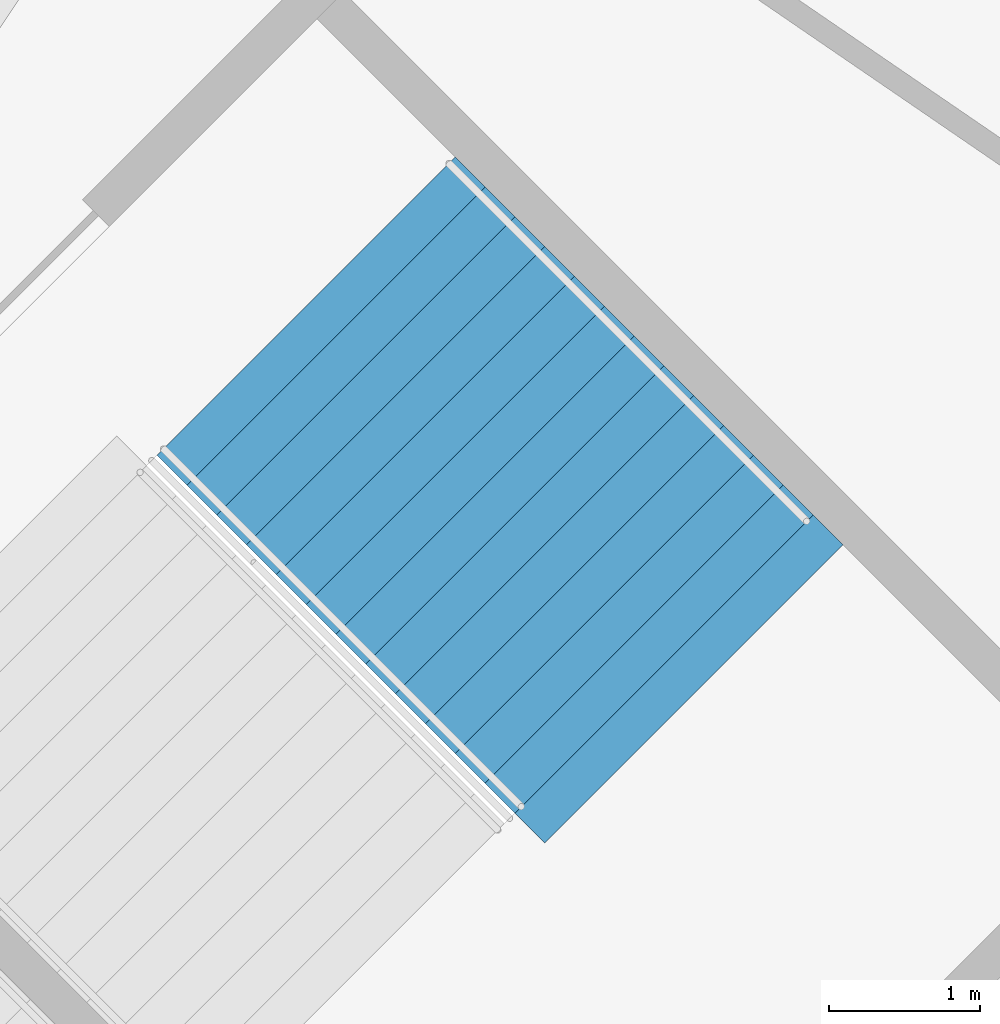
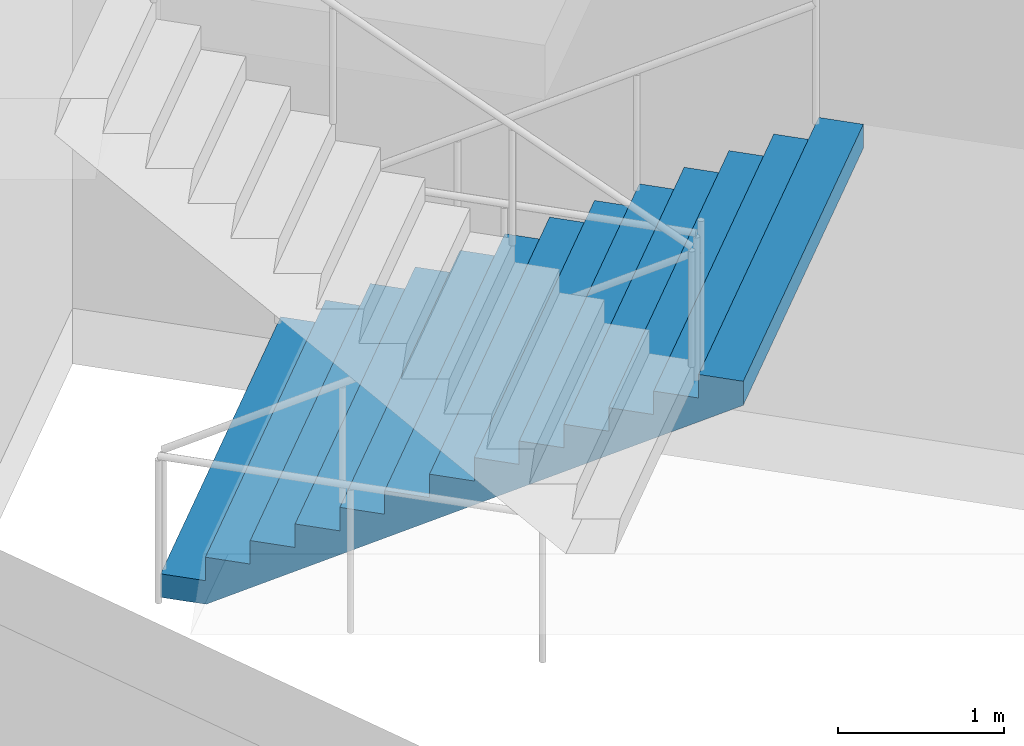
# One storey, part 140 of 199: 1 stair flight, 1 element without a shape of its own.
"""IFC4 building model written with IfcOpenShell, lengths in metres."""

from ifc_helpers import new_model, si_unit, direction, frame, origin, place, context, subcontext, project, spatial, faceted_brep, material, type_object, element, aggregate, save


model = new_model("IFC4")

# Units and contexts
model_context = context("Model", 3, precision=1e-05, world=origin(), true_north=direction((0.0, 1.0)))
body_context = subcontext(model_context, "Body", "Model", "MODEL_VIEW")
ifc_project = project(units=[si_unit("LENGTHUNIT", "METRE"), si_unit("AREAUNIT", "SQUARE_METRE"), si_unit("VOLUMEUNIT", "CUBIC_METRE"), si_unit("PLANEANGLEUNIT", "RADIAN"), si_unit("MASSUNIT", "GRAM", prefix="KILO")], contexts=[model_context])

# Site, building, storey
site_placement = place(None, origin())
site = spatial("IfcSite", under=ifc_project, at=site_placement, CompositionType="ELEMENT")
building_placement = place(site_placement, origin())
building = spatial("IfcBuilding", under=site, at=building_placement, Name="Ogive Plaza Stadium", CompositionType="ELEMENT")
storey_placement = place(building_placement, frame((0.0, 0.0, 4.5)))
storey = spatial("IfcBuildingStorey", under=building, at=storey_placement, Name="L01", CompositionType="ELEMENT", Elevation=4.5)

# Stair, stair flight
ifc_material_1 = material(Name="Concrete C40/50", Category="concrete")
stair_type = type_object("IfcStairType", Name="Exit stair", PredefinedType="STRAIGHT_RUN_STAIR", material=ifc_material_1)
stair_placement = place(storey_placement, origin())
stair = element("IfcStair", 1, at=stair_placement, inside=storey, type_object=stair_type, Name="Exit stair ST10B L01 to L02", PredefinedType="STRAIGHT_RUN_STAIR")
ifc_material_2 = material(Name="Concrete C40/50", Category="concrete")
stair_flight_type = type_object("IfcStairFlightType", Name="Exit stair flight", PredefinedType="STRAIGHT", material=ifc_material_2)
stair_flight_placement = place(storey_placement, frame((67.074951171875, -79.317138671875, 0.0), z_axis=(0.0, 0.0, 1.0), x_axis=(0.707106781187, -0.707106781187, 0.0)))
stair_flight = element("IfcStairFlight", 2, at=stair_flight_placement, type_object=stair_flight_type, Name="ST10B flight 1", NumberOfRisers=13, NumberOfTreads=12, PredefinedType="STRAIGHT", RiserHeight=0.173076923, TreadLength=0.28, context=body_context, shape_type="Brep", body=[
    faceted_brep([(0.28515625, -1.39990234375, 0.0), (3.639892578125, -1.39990234375, 2.07373046875), (3.639892578125, -1.39990234375, 2.25), (3.360107421875, -1.39990234375, 2.25), (3.360107421875, -1.39990234375, 2.076904296875), (3.080078125, -1.39990234375, 2.076904296875), (3.080078125, -1.39990234375, 1.90380859375), (2.800048828125, -1.39990234375, 1.90380859375), (2.800048828125, -1.39990234375, 1.730712890625), (2.52001953125, -1.39990234375, 1.730712890625), (2.52001953125, -1.39990234375, 1.5576171875), (2.239990234375, -1.39990234375, 1.5576171875), (2.239990234375, -1.39990234375, 1.384521484375), (1.9599609375, -1.39990234375, 1.384521484375), (1.9599609375, -1.39990234375, 1.21142578125), (1.679931640625, -1.39990234375, 1.21142578125), (1.679931640625, -1.39990234375, 1.03857421875), (1.39990234375, -1.39990234375, 1.03857421875), (1.39990234375, -1.39990234375, 0.865478515625), (1.1201171875, -1.39990234375, 0.865478515625), (1.1201171875, -1.39990234375, 0.6923828125), (0.840087890625, -1.39990234375, 0.6923828125), (0.840087890625, -1.39990234375, 0.519287109375), (0.56005859375, -1.39990234375, 0.519287109375), (0.56005859375, -1.39990234375, 0.34619140625), (0.280029296875, -1.39990234375, 0.34619140625), (0.280029296875, -1.39990234375, 0.173095703125), (0.0, -1.39990234375, 0.173095703125), (0.0, -1.39990234375, 0.0), (0.0, 1.39990234375, 0.0), (0.0, 1.39990234375, 0.173095703125), (0.280029296875, 1.39990234375, 0.173095703125), (0.280029296875, 1.39990234375, 0.34619140625), (0.56005859375, 1.39990234375, 0.34619140625), (0.56005859375, 1.39990234375, 0.519287109375), (0.840087890625, 1.39990234375, 0.519287109375), (0.840087890625, 1.39990234375, 0.6923828125), (1.1201171875, 1.39990234375, 0.6923828125), (1.1201171875, 1.39990234375, 0.865478515625), (1.39990234375, 1.39990234375, 0.865478515625), (1.39990234375, 1.39990234375, 1.03857421875), (1.679931640625, 1.39990234375, 1.03857421875), (1.679931640625, 1.39990234375, 1.21142578125), (1.9599609375, 1.39990234375, 1.21142578125), (1.9599609375, 1.39990234375, 1.384521484375), (2.239990234375, 1.39990234375, 1.384521484375), (2.239990234375, 1.39990234375, 1.5576171875), (2.52001953125, 1.39990234375, 1.5576171875), (2.52001953125, 1.39990234375, 1.730712890625), (2.800048828125, 1.39990234375, 1.730712890625), (2.800048828125, 1.39990234375, 1.90380859375), (3.080078125, 1.39990234375, 1.90380859375), (3.080078125, 1.39990234375, 2.076904296875), (3.360107421875, 1.39990234375, 2.076904296875), (3.360107421875, 1.39990234375, 2.25), (3.639892578125, 1.39990234375, 2.25), (3.639892578125, 1.39990234375, 2.07373046875), (0.28515625, 1.39990234375, 0.0), (0.28515625, -1.0888671875, 0.0), (3.639892578125, -1.0888671875, 2.07373046875), (0.28515625, -0.77783203125, 0.0), (3.639892578125, -0.77783203125, 2.07373046875), (0.28515625, -0.466796875, 0.0), (3.639892578125, -0.466796875, 2.07373046875), (0.28515625, -0.155517578125, 0.0), (3.639892578125, -0.155517578125, 2.07373046875), (0.28515625, 0.155517578125, 0.0), (3.639892578125, 0.155517578125, 2.07373046875), (0.28515625, 0.466796875, 0.0), (3.639892578125, 0.466796875, 2.07373046875), (0.28515625, 0.77783203125, 0.0), (3.639892578125, 0.77783203125, 2.07373046875), (0.28515625, 1.0888671875, 0.0), (3.639892578125, 1.0888671875, 2.07373046875), (3.639892578125, -1.0888671875, 2.25), (3.639892578125, -0.77783203125, 2.25), (3.639892578125, -0.466796875, 2.25), (3.639892578125, -0.155517578125, 2.25), (3.639892578125, 0.155517578125, 2.25), (3.639892578125, 0.466796875, 2.25), (3.639892578125, 0.77783203125, 2.25), (3.639892578125, 1.0888671875, 2.25), (3.360107421875, -1.0888671875, 2.25), (3.360107421875, -0.77783203125, 2.25), (3.360107421875, -0.466796875, 2.25), (3.360107421875, -0.155517578125, 2.25), (3.360107421875, 0.155517578125, 2.25), (3.360107421875, 0.466796875, 2.25), (3.360107421875, 0.77783203125, 2.25), (3.360107421875, 1.0888671875, 2.25), (3.360107421875, -1.0888671875, 2.076904296875), (3.360107421875, -0.77783203125, 2.076904296875), (3.360107421875, -0.466796875, 2.076904296875), (3.360107421875, -0.155517578125, 2.076904296875), (3.360107421875, 0.155517578125, 2.076904296875), (3.360107421875, 0.466796875, 2.076904296875), (3.360107421875, 0.77783203125, 2.076904296875), (3.360107421875, 1.0888671875, 2.076904296875), (3.080078125, -1.0888671875, 2.076904296875), (3.080078125, -0.77783203125, 2.076904296875), (3.080078125, -0.466796875, 2.076904296875), (3.080078125, -0.155517578125, 2.076904296875), (3.080078125, 0.155517578125, 2.076904296875), (3.080078125, 0.466796875, 2.076904296875), (3.080078125, 0.77783203125, 2.076904296875), (3.080078125, 1.0888671875, 2.076904296875), (3.080078125, -1.0888671875, 1.90380859375), (3.080078125, -0.77783203125, 1.90380859375), (3.080078125, -0.466796875, 1.90380859375), (3.080078125, -0.155517578125, 1.90380859375), (3.080078125, 0.155517578125, 1.90380859375), (3.080078125, 0.466796875, 1.90380859375), (3.080078125, 0.77783203125, 1.90380859375), (3.080078125, 1.0888671875, 1.90380859375), (2.800048828125, -1.0888671875, 1.90380859375), (2.800048828125, -0.77783203125, 1.90380859375), (2.800048828125, -0.466796875, 1.90380859375), (2.800048828125, -0.155517578125, 1.90380859375), (2.800048828125, 0.155517578125, 1.90380859375), (2.800048828125, 0.466796875, 1.90380859375), (2.800048828125, 0.77783203125, 1.90380859375), (2.800048828125, 1.0888671875, 1.90380859375), (2.800048828125, -1.0888671875, 1.730712890625), (2.800048828125, -0.77783203125, 1.730712890625), (2.800048828125, -0.466796875, 1.730712890625), (2.800048828125, -0.155517578125, 1.730712890625), (2.800048828125, 0.155517578125, 1.730712890625), (2.800048828125, 0.466796875, 1.730712890625), (2.800048828125, 0.77783203125, 1.730712890625), (2.800048828125, 1.0888671875, 1.730712890625), (2.52001953125, -1.0888671875, 1.730712890625), (2.52001953125, -0.77783203125, 1.730712890625), (2.52001953125, -0.466796875, 1.730712890625), (2.52001953125, -0.155517578125, 1.730712890625), (2.52001953125, 0.155517578125, 1.730712890625), (2.52001953125, 0.466796875, 1.730712890625), (2.52001953125, 0.77783203125, 1.730712890625), (2.52001953125, 1.0888671875, 1.730712890625), (2.52001953125, -1.0888671875, 1.5576171875), (2.52001953125, -0.77783203125, 1.5576171875), (2.52001953125, -0.466796875, 1.5576171875), (2.52001953125, -0.155517578125, 1.5576171875), (2.52001953125, 0.155517578125, 1.5576171875), (2.52001953125, 0.466796875, 1.5576171875), (2.52001953125, 0.77783203125, 1.5576171875), (2.52001953125, 1.0888671875, 1.5576171875), (2.239990234375, -1.0888671875, 1.5576171875), (2.239990234375, -0.77783203125, 1.5576171875), (2.239990234375, -0.466796875, 1.5576171875), (2.239990234375, -0.155517578125, 1.5576171875), (2.239990234375, 0.155517578125, 1.5576171875), (2.239990234375, 0.466796875, 1.5576171875), (2.239990234375, 0.77783203125, 1.5576171875), (2.239990234375, 1.0888671875, 1.5576171875), (2.239990234375, -1.0888671875, 1.384521484375), (2.239990234375, -0.77783203125, 1.384521484375), (2.239990234375, -0.466796875, 1.384521484375), (2.239990234375, -0.155517578125, 1.384521484375), (2.239990234375, 0.155517578125, 1.384521484375), (2.239990234375, 0.466796875, 1.384521484375), (2.239990234375, 0.77783203125, 1.384521484375), (2.239990234375, 1.0888671875, 1.384521484375), (1.9599609375, -1.0888671875, 1.384521484375), (1.9599609375, -0.77783203125, 1.384521484375), (1.9599609375, -0.466796875, 1.384521484375), (1.9599609375, -0.155517578125, 1.384521484375), (1.9599609375, 0.155517578125, 1.384521484375), (1.9599609375, 0.466796875, 1.384521484375), (1.9599609375, 0.77783203125, 1.384521484375), (1.9599609375, 1.0888671875, 1.384521484375), (1.9599609375, -1.0888671875, 1.21142578125), (1.9599609375, -0.77783203125, 1.21142578125), (1.9599609375, -0.466796875, 1.21142578125), (1.9599609375, -0.155517578125, 1.21142578125), (1.9599609375, 0.155517578125, 1.21142578125), (1.9599609375, 0.466796875, 1.21142578125), (1.9599609375, 0.77783203125, 1.21142578125), (1.9599609375, 1.0888671875, 1.21142578125), (1.679931640625, -1.0888671875, 1.21142578125), (1.679931640625, -0.77783203125, 1.21142578125), (1.679931640625, -0.466796875, 1.21142578125), (1.679931640625, -0.155517578125, 1.21142578125), (1.679931640625, 0.155517578125, 1.21142578125), (1.679931640625, 0.466796875, 1.21142578125), (1.679931640625, 0.77783203125, 1.21142578125), (1.679931640625, 1.0888671875, 1.21142578125), (1.679931640625, -1.0888671875, 1.03857421875), (1.679931640625, -0.77783203125, 1.03857421875), (1.679931640625, -0.466796875, 1.03857421875), (1.679931640625, -0.155517578125, 1.03857421875), (1.679931640625, 0.155517578125, 1.03857421875), (1.679931640625, 0.466796875, 1.03857421875), (1.679931640625, 0.77783203125, 1.03857421875), (1.679931640625, 1.0888671875, 1.03857421875), (1.39990234375, -1.0888671875, 1.03857421875), (1.39990234375, -0.77783203125, 1.03857421875), (1.39990234375, -0.466796875, 1.03857421875), (1.39990234375, -0.155517578125, 1.03857421875), (1.39990234375, 0.155517578125, 1.03857421875), (1.39990234375, 0.466796875, 1.03857421875), (1.39990234375, 0.77783203125, 1.03857421875), (1.39990234375, 1.0888671875, 1.03857421875), (1.39990234375, -1.0888671875, 0.865478515625), (1.39990234375, -0.77783203125, 0.865478515625), (1.39990234375, -0.466796875, 0.865478515625), (1.39990234375, -0.155517578125, 0.865478515625), (1.39990234375, 0.155517578125, 0.865478515625), (1.39990234375, 0.466796875, 0.865478515625), (1.39990234375, 0.77783203125, 0.865478515625), (1.39990234375, 1.0888671875, 0.865478515625), (1.1201171875, -1.0888671875, 0.865478515625), (1.1201171875, -0.77783203125, 0.865478515625), (1.1201171875, -0.466796875, 0.865478515625), (1.1201171875, -0.155517578125, 0.865478515625), (1.1201171875, 0.155517578125, 0.865478515625), (1.1201171875, 0.466796875, 0.865478515625), (1.1201171875, 0.77783203125, 0.865478515625), (1.1201171875, 1.0888671875, 0.865478515625), (1.1201171875, -1.0888671875, 0.6923828125), (1.1201171875, -0.77783203125, 0.6923828125), (1.1201171875, -0.466796875, 0.6923828125), (1.1201171875, -0.155517578125, 0.6923828125), (1.1201171875, 0.155517578125, 0.6923828125), (1.1201171875, 0.466796875, 0.6923828125), (1.1201171875, 0.77783203125, 0.6923828125), (1.1201171875, 1.0888671875, 0.6923828125), (0.840087890625, -1.0888671875, 0.6923828125), (0.840087890625, -0.77783203125, 0.6923828125), (0.840087890625, -0.466796875, 0.6923828125), (0.840087890625, -0.155517578125, 0.6923828125), (0.840087890625, 0.155517578125, 0.6923828125), (0.840087890625, 0.466796875, 0.6923828125), (0.840087890625, 0.77783203125, 0.6923828125), (0.840087890625, 1.0888671875, 0.6923828125), (0.840087890625, -1.0888671875, 0.519287109375), (0.840087890625, -0.77783203125, 0.519287109375), (0.840087890625, -0.466796875, 0.519287109375), (0.840087890625, -0.155517578125, 0.519287109375), (0.840087890625, 0.155517578125, 0.519287109375), (0.840087890625, 0.466796875, 0.519287109375), (0.840087890625, 0.77783203125, 0.519287109375), (0.840087890625, 1.0888671875, 0.519287109375), (0.56005859375, -1.0888671875, 0.519287109375), (0.56005859375, -0.77783203125, 0.519287109375), (0.56005859375, -0.466796875, 0.519287109375), (0.56005859375, -0.155517578125, 0.519287109375), (0.56005859375, 0.155517578125, 0.519287109375), (0.56005859375, 0.466796875, 0.519287109375), (0.56005859375, 0.77783203125, 0.519287109375), (0.56005859375, 1.0888671875, 0.519287109375), (0.56005859375, -1.0888671875, 0.34619140625), (0.56005859375, -0.77783203125, 0.34619140625), (0.56005859375, -0.466796875, 0.34619140625), (0.56005859375, -0.155517578125, 0.34619140625), (0.56005859375, 0.155517578125, 0.34619140625), (0.56005859375, 0.466796875, 0.34619140625), (0.56005859375, 0.77783203125, 0.34619140625), (0.56005859375, 1.0888671875, 0.34619140625), (0.280029296875, -1.0888671875, 0.34619140625), (0.280029296875, -0.77783203125, 0.34619140625), (0.280029296875, -0.466796875, 0.34619140625), (0.280029296875, -0.155517578125, 0.34619140625), (0.280029296875, 0.155517578125, 0.34619140625), (0.280029296875, 0.466796875, 0.34619140625), (0.280029296875, 0.77783203125, 0.34619140625), (0.280029296875, 1.0888671875, 0.34619140625), (0.280029296875, -1.0888671875, 0.173095703125), (0.280029296875, -0.77783203125, 0.173095703125), (0.280029296875, -0.466796875, 0.173095703125), (0.280029296875, -0.155517578125, 0.173095703125), (0.280029296875, 0.155517578125, 0.173095703125), (0.280029296875, 0.466796875, 0.173095703125), (0.280029296875, 0.77783203125, 0.173095703125), (0.280029296875, 1.0888671875, 0.173095703125), (0.0, -1.0888671875, 0.173095703125), (0.0, -0.77783203125, 0.173095703125), (0.0, -0.466796875, 0.173095703125), (0.0, -0.155517578125, 0.173095703125), (0.0, 0.155517578125, 0.173095703125), (0.0, 0.466796875, 0.173095703125), (0.0, 0.77783203125, 0.173095703125), (0.0, 1.0888671875, 0.173095703125), (0.0, -1.0888671875, 0.0), (0.0, -0.77783203125, 0.0), (0.0, -0.466796875, 0.0), (0.0, -0.155517578125, 0.0), (0.0, 0.155517578125, 0.0), (0.0, 0.466796875, 0.0), (0.0, 0.77783203125, 0.0), (0.0, 1.0888671875, 0.0)], [[[0, 1, 2, 3, 4, 5, 6, 7, 8, 9, 10, 11, 12, 13, 14, 15, 16, 17, 18, 19, 20, 21, 22, 23, 24, 25, 26, 27, 28]], [[29, 30, 31, 32, 33, 34, 35, 36, 37, 38, 39, 40, 41, 42, 43, 44, 45, 46, 47, 48, 49, 50, 51, 52, 53, 54, 55, 56, 57]], [[0, 58, 59, 1]], [[58, 60, 61, 59]], [[60, 62, 63, 61]], [[62, 64, 65, 63]], [[64, 66, 67, 65]], [[66, 68, 69, 67]], [[68, 70, 71, 69]], [[70, 72, 73, 71]], [[72, 57, 56, 73]], [[1, 59, 74, 2]], [[59, 61, 75, 74]], [[61, 63, 76, 75]], [[63, 65, 77, 76]], [[65, 67, 78, 77]], [[67, 69, 79, 78]], [[69, 71, 80, 79]], [[71, 73, 81, 80]], [[73, 56, 55, 81]], [[2, 74, 82, 3]], [[74, 75, 83, 82]], [[75, 76, 84, 83]], [[76, 77, 85, 84]], [[77, 78, 86, 85]], [[78, 79, 87, 86]], [[79, 80, 88, 87]], [[80, 81, 89, 88]], [[81, 55, 54, 89]], [[3, 82, 90, 4]], [[82, 83, 91, 90]], [[83, 84, 92, 91]], [[84, 85, 93, 92]], [[85, 86, 94, 93]], [[86, 87, 95, 94]], [[87, 88, 96, 95]], [[88, 89, 97, 96]], [[89, 54, 53, 97]], [[4, 90, 98, 5]], [[90, 91, 99, 98]], [[91, 92, 100, 99]], [[92, 93, 101, 100]], [[93, 94, 102, 101]], [[94, 95, 103, 102]], [[95, 96, 104, 103]], [[96, 97, 105, 104]], [[97, 53, 52, 105]], [[5, 98, 106, 6]], [[98, 99, 107, 106]], [[99, 100, 108, 107]], [[100, 101, 109, 108]], [[101, 102, 110, 109]], [[102, 103, 111, 110]], [[103, 104, 112, 111]], [[104, 105, 113, 112]], [[105, 52, 51, 113]], [[6, 106, 114, 7]], [[106, 107, 115, 114]], [[107, 108, 116, 115]], [[108, 109, 117, 116]], [[109, 110, 118, 117]], [[110, 111, 119, 118]], [[111, 112, 120, 119]], [[112, 113, 121, 120]], [[113, 51, 50, 121]], [[7, 114, 122, 8]], [[114, 115, 123, 122]], [[115, 116, 124, 123]], [[116, 117, 125, 124]], [[117, 118, 126, 125]], [[118, 119, 127, 126]], [[119, 120, 128, 127]], [[120, 121, 129, 128]], [[121, 50, 49, 129]], [[8, 122, 130, 9]], [[122, 123, 131, 130]], [[123, 124, 132, 131]], [[124, 125, 133, 132]], [[125, 126, 134, 133]], [[126, 127, 135, 134]], [[127, 128, 136, 135]], [[128, 129, 137, 136]], [[129, 49, 48, 137]], [[9, 130, 138, 10]], [[130, 131, 139, 138]], [[131, 132, 140, 139]], [[132, 133, 141, 140]], [[133, 134, 142, 141]], [[134, 135, 143, 142]], [[135, 136, 144, 143]], [[136, 137, 145, 144]], [[137, 48, 47, 145]], [[10, 138, 146, 11]], [[138, 139, 147, 146]], [[139, 140, 148, 147]], [[140, 141, 149, 148]], [[141, 142, 150, 149]], [[142, 143, 151, 150]], [[143, 144, 152, 151]], [[144, 145, 153, 152]], [[145, 47, 46, 153]], [[11, 146, 154, 12]], [[146, 147, 155, 154]], [[147, 148, 156, 155]], [[148, 149, 157, 156]], [[149, 150, 158, 157]], [[150, 151, 159, 158]], [[151, 152, 160, 159]], [[152, 153, 161, 160]], [[153, 46, 45, 161]], [[12, 154, 162, 13]], [[154, 155, 163, 162]], [[155, 156, 164, 163]], [[156, 157, 165, 164]], [[157, 158, 166, 165]], [[158, 159, 167, 166]], [[159, 160, 168, 167]], [[160, 161, 169, 168]], [[161, 45, 44, 169]], [[13, 162, 170, 14]], [[162, 163, 171, 170]], [[163, 164, 172, 171]], [[164, 165, 173, 172]], [[165, 166, 174, 173]], [[166, 167, 175, 174]], [[167, 168, 176, 175]], [[168, 169, 177, 176]], [[169, 44, 43, 177]], [[14, 170, 178, 15]], [[170, 171, 179, 178]], [[171, 172, 180, 179]], [[172, 173, 181, 180]], [[173, 174, 182, 181]], [[174, 175, 183, 182]], [[175, 176, 184, 183]], [[176, 177, 185, 184]], [[177, 43, 42, 185]], [[15, 178, 186, 16]], [[178, 179, 187, 186]], [[179, 180, 188, 187]], [[180, 181, 189, 188]], [[181, 182, 190, 189]], [[182, 183, 191, 190]], [[183, 184, 192, 191]], [[184, 185, 193, 192]], [[185, 42, 41, 193]], [[16, 186, 194, 17]], [[186, 187, 195, 194]], [[187, 188, 196, 195]], [[188, 189, 197, 196]], [[189, 190, 198, 197]], [[190, 191, 199, 198]], [[191, 192, 200, 199]], [[192, 193, 201, 200]], [[193, 41, 40, 201]], [[17, 194, 202, 18]], [[194, 195, 203, 202]], [[195, 196, 204, 203]], [[196, 197, 205, 204]], [[197, 198, 206, 205]], [[198, 199, 207, 206]], [[199, 200, 208, 207]], [[200, 201, 209, 208]], [[201, 40, 39, 209]], [[18, 202, 210, 19]], [[202, 203, 211, 210]], [[203, 204, 212, 211]], [[204, 205, 213, 212]], [[205, 206, 214, 213]], [[206, 207, 215, 214]], [[207, 208, 216, 215]], [[208, 209, 217, 216]], [[209, 39, 38, 217]], [[19, 210, 218, 20]], [[210, 211, 219, 218]], [[211, 212, 220, 219]], [[212, 213, 221, 220]], [[213, 214, 222, 221]], [[214, 215, 223, 222]], [[215, 216, 224, 223]], [[216, 217, 225, 224]], [[217, 38, 37, 225]], [[20, 218, 226, 21]], [[218, 219, 227, 226]], [[219, 220, 228, 227]], [[220, 221, 229, 228]], [[221, 222, 230, 229]], [[222, 223, 231, 230]], [[223, 224, 232, 231]], [[224, 225, 233, 232]], [[225, 37, 36, 233]], [[21, 226, 234, 22]], [[226, 227, 235, 234]], [[227, 228, 236, 235]], [[228, 229, 237, 236]], [[229, 230, 238, 237]], [[230, 231, 239, 238]], [[231, 232, 240, 239]], [[232, 233, 241, 240]], [[233, 36, 35, 241]], [[22, 234, 242, 23]], [[234, 235, 243, 242]], [[235, 236, 244, 243]], [[236, 237, 245, 244]], [[237, 238, 246, 245]], [[238, 239, 247, 246]], [[239, 240, 248, 247]], [[240, 241, 249, 248]], [[241, 35, 34, 249]], [[23, 242, 250, 24]], [[242, 243, 251, 250]], [[243, 244, 252, 251]], [[244, 245, 253, 252]], [[245, 246, 254, 253]], [[246, 247, 255, 254]], [[247, 248, 256, 255]], [[248, 249, 257, 256]], [[249, 34, 33, 257]], [[24, 250, 258, 25]], [[250, 251, 259, 258]], [[251, 252, 260, 259]], [[252, 253, 261, 260]], [[253, 254, 262, 261]], [[254, 255, 263, 262]], [[255, 256, 264, 263]], [[256, 257, 265, 264]], [[257, 33, 32, 265]], [[25, 258, 266, 26]], [[258, 259, 267, 266]], [[259, 260, 268, 267]], [[260, 261, 269, 268]], [[261, 262, 270, 269]], [[262, 263, 271, 270]], [[263, 264, 272, 271]], [[264, 265, 273, 272]], [[265, 32, 31, 273]], [[26, 266, 274, 27]], [[266, 267, 275, 274]], [[267, 268, 276, 275]], [[268, 269, 277, 276]], [[269, 270, 278, 277]], [[270, 271, 279, 278]], [[271, 272, 280, 279]], [[272, 273, 281, 280]], [[273, 31, 30, 281]], [[27, 274, 282, 28]], [[274, 275, 283, 282]], [[275, 276, 284, 283]], [[276, 277, 285, 284]], [[277, 278, 286, 285]], [[278, 279, 287, 286]], [[279, 280, 288, 287]], [[280, 281, 289, 288]], [[281, 30, 29, 289]], [[28, 282, 58, 0]], [[282, 283, 60, 58]], [[283, 284, 62, 60]], [[284, 285, 64, 62]], [[285, 286, 66, 64]], [[286, 287, 68, 66]], [[287, 288, 70, 68]], [[288, 289, 72, 70]], [[289, 29, 57, 72]]]),
])
aggregate(stair, [stair_flight])

save(model, "model.ifc")
